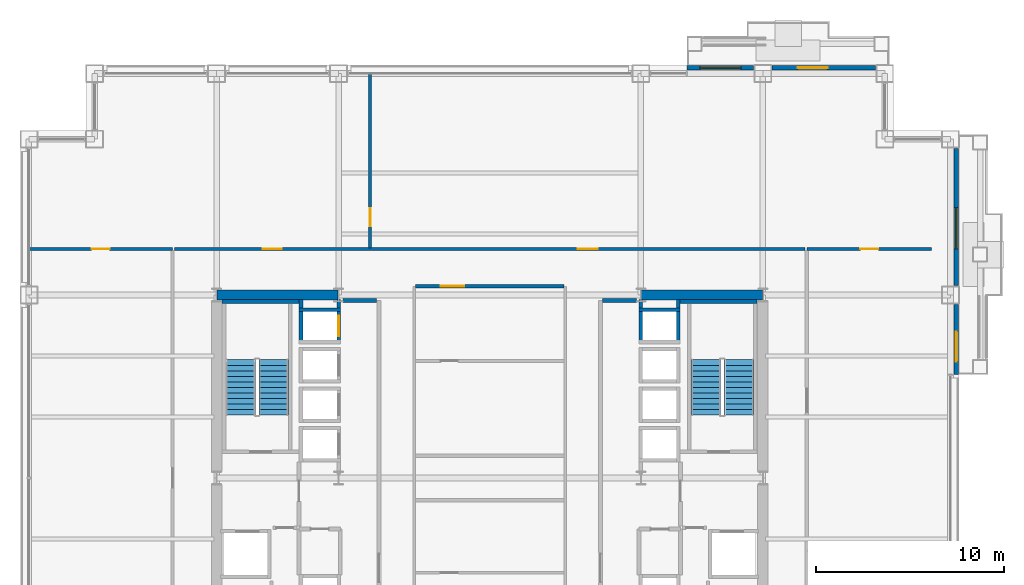
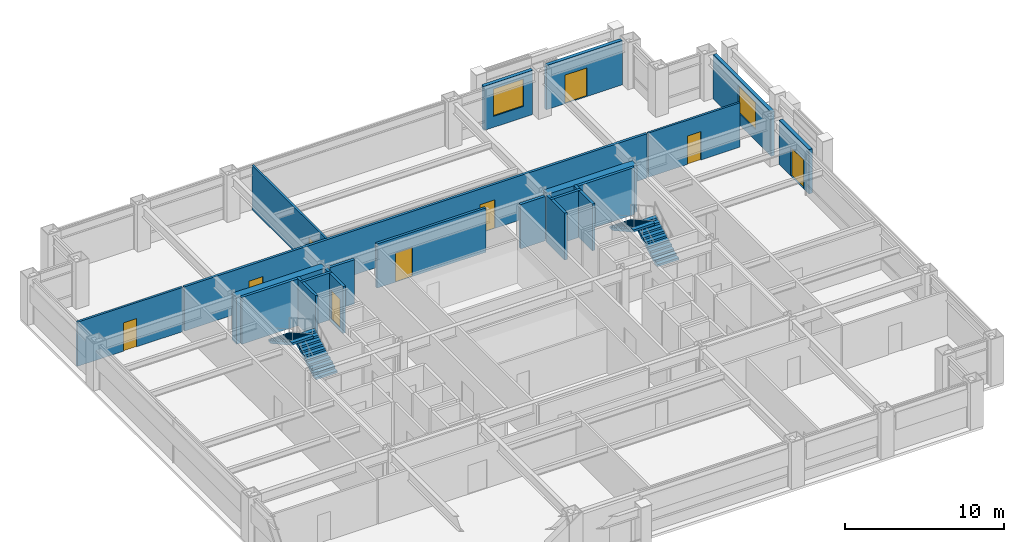
# One storey, part 28 of 31: 21 walls, 9 doors, 4 stair flights, 2 windows, 11 openings, 2 elements without a shape of their own.
"""IFC4 building model written with IfcOpenShell, lengths in metres."""

from ifc_helpers import new_model, si_unit, direction, frame, frame_2d, origin, place, context, subcontext, project, spatial, polyline, rectangle, outline, extrude, material, layer, layer_set, type_object, element, fill, aggregate, save


model = new_model("IFC4")

# Units and contexts
model_context = context("Model", 3, precision=1e-05, world=origin(), true_north=direction((0.0, 1.0)))
body_context = subcontext(model_context, "Body", "Model", "MODEL_VIEW")
ifc_project = project(units=[si_unit("LENGTHUNIT", "METRE"), si_unit("AREAUNIT", "SQUARE_METRE"), si_unit("VOLUMEUNIT", "CUBIC_METRE"), si_unit("PLANEANGLEUNIT", "RADIAN"), si_unit("MASSUNIT", "GRAM", prefix="KILO")], contexts=[model_context])

# Site, building, storey
site_placement = place(None, origin())
site = spatial("IfcSite", under=ifc_project, at=site_placement, CompositionType="ELEMENT")
building_placement = place(site_placement, origin())
building = spatial("IfcBuilding", under=site, at=building_placement, Name="Brelmoor Portico Tower", CompositionType="ELEMENT")
storey_placement = place(building_placement, frame((0.0, 0.0, 27.60009765625)))
storey = spatial("IfcBuildingStorey", under=building, at=storey_placement, Name="L06", CompositionType="ELEMENT", Elevation=27.60009765625)

# Walls
ifc_material_1 = material(Name="Concrete C60", Category="concrete")
ifc_layer_1 = layer(ifc_material_1, 0.550048828125)
ifc_layer_set_1 = layer_set([ifc_layer_1], Name="Concrete C60")
wall_type_1 = type_object("IfcWallType", Name="WL-CORE-550", PredefinedType="SHEAR", material=ifc_layer_set_1)
for number, where, z_axis, x_axis, name in (
    (1, (-14.530029296875, 9.75, -0.2001953125), (0.0, 0.0, 1.0), (1.0, 0.0, 0.0), "L06 WC North Shear Wall"),
    (2, (8.070068359375, 9.75, -0.2001953125), (0.0, 0.0, 1.0), (1.0, 0.0, 0.0), "L06 EC North Shear Wall"),
):
    element("IfcWall", number, at=place(storey_placement, frame(where, z_axis=z_axis, x_axis=x_axis)), inside=storey, type_object=wall_type_1, Name=name, PredefinedType="SHEAR", context=body_context, shape_type="SweptSolid", body=[
        extrude(rectangle(XDim=6.4599609375, YDim=0.550048828125, at=frame_2d((3.22998046875, 0.0))), origin(), (0.0, 0.0, 1.0), 3.60009765625),
    ])

# Wall, opening, window
ifc_material_2 = material(Name="Precast Concrete C40 Insulated Facade Wall", Category="concrete")
ifc_layer_2 = layer(ifc_material_2, 0.25)
ifc_layer_set_2 = layer_set([ifc_layer_2], Name="Precast Concrete C40 Insulated Facade Wall")
wall_type_2 = type_object("IfcWallType", Name="WL-EXT-250", PredefinedType="STANDARD", material=ifc_layer_set_2)
wall_1_placement = place(storey_placement, frame((10.5, 21.860107421875, 0.0), z_axis=(0.0, 0.0, 1.0), x_axis=(1.0, 0.0, 0.0)))
wall_1 = element("IfcWall", 3, at=wall_1_placement, inside=storey, type_object=wall_type_2, Name="L06 Loggia Threshold Wall N-1", PredefinedType="STANDARD", context=body_context, shape_type="SweptSolid", body=[
    extrude(rectangle(XDim=3.554931640625, YDim=0.25, at=frame_2d((1.77734375, 0.0))), origin(), (0.0, 0.0, 1.0), 3.39990234375),
])
opening_1_placement = place(wall_1_placement, frame((0.699951171875, 0.0, 0.85009765625)))
opening_1 = element("IfcOpeningElement", 4, at=opening_1_placement, cuts=wall_1, Name="Opening W-03B", PredefinedType="OPENING", context=body_context, shape_type="SweptSolid", body=[
    extrude(rectangle(XDim=2.199951171875, YDim=2.10009765625, at=frame_2d((1.10009765625, 1.050048828125))), frame((0.0, 0.135009765625, 0.0), z_axis=(0.0, -1.0, 0.0), x_axis=(1.0, 0.0, 0.0)), (0.0, 0.0, 1.0), 0.27001953125),
])
ifc_material_3 = material(Name="Thermally Broken Aluminium Low-E Window", Category="aluminium")
window_type = type_object("IfcWindowType", Name="WN-LOGGIA-2200x2100", PartitioningType="SINGLE_PANEL", PredefinedType="WINDOW", material=ifc_material_3)
window_1_placement = place(opening_1_placement, origin())
window_1 = element("IfcWindow", 5, at=window_1_placement, inside=storey, type_object=window_type, Name="L06 Loggia Window N", OverallHeight=2.10009765625, OverallWidth=2.199951171875, PartitioningType="SINGLE_PANEL", PredefinedType="WINDOW", context=body_context, shape_type="SweptSolid", body=[
    extrude(rectangle(XDim=2.199951171875, YDim=2.10009765625, at=frame_2d((1.10009765625, 1.050048828125))), frame((0.0, 0.030029296875, 0.0), z_axis=(0.0, -1.0, 0.0), x_axis=(1.0, 0.0, 0.0)), (0.0, 0.0, 1.0), 0.06005859375),
])
fill(opening_1, window_1)

# Wall, opening, door
wall_2_placement = place(storey_placement, frame((15.044921875, 21.860107421875, 0.0), z_axis=(0.0, 0.0, 1.0), x_axis=(1.0, 0.0, 0.0)))
wall_2 = element("IfcWall", 6, at=wall_2_placement, inside=storey, type_object=wall_type_2, Name="L06 Loggia Threshold Wall N-2", PredefinedType="STANDARD", context=body_context, shape_type="SweptSolid", body=[
    extrude(rectangle(XDim=5.510009765625, YDim=0.25, at=frame_2d((2.7548828125, 0.0))), origin(), (0.0, 0.0, 1.0), 3.39990234375),
])
opening_2_placement = place(wall_2_placement, frame((1.35498046875, 0.0, 0.0)))
opening_2 = element("IfcOpeningElement", 7, at=opening_2_placement, cuts=wall_2, Name="Opening D-TB1", PredefinedType="OPENING", context=body_context, shape_type="SweptSolid", body=[
    extrude(rectangle(XDim=1.60009765625, YDim=2.199951171875, at=frame_2d((0.800048828125, 1.10009765625))), frame((0.0, 0.135009765625, 0.0), z_axis=(0.0, -1.0, 0.0), x_axis=(1.0, 0.0, 0.0)), (0.0, 0.0, 1.0), 0.27001953125),
])
ifc_material_4 = material(Name="Double-Leaf Thermally Broken Terrace Door", Category="aluminium")
door_type_1 = type_object("IfcDoorType", Name="DR-BALCONY-1600", OperationType="NOTDEFINED", PredefinedType="DOOR", material=ifc_material_4)
door_1_placement = place(opening_2_placement, origin())
door_1 = element("IfcDoor", 8, at=door_1_placement, inside=storey, type_object=door_type_1, Name="D-0295 L06 Tree Balcony Double Door N", OperationType="DOUBLE_DOOR_SINGLE_SWING", OverallHeight=2.199951171875, OverallWidth=1.60009765625, PredefinedType="DOOR", context=body_context, shape_type="SweptSolid", body=[
    extrude(rectangle(XDim=1.60009765625, YDim=2.199951171875, at=frame_2d((0.800048828125, 1.10009765625))), frame((0.0, 0.02490234375, 0.0), z_axis=(0.0, -1.0, 0.0), x_axis=(1.0, 0.0, 0.0)), (0.0, 0.0, 1.0), 0.050048828125),
])
fill(opening_2, door_1)

wall_3_placement = place(storey_placement, frame((24.860107421875, 5.5, 0.0), z_axis=(0.0, 0.0, 1.0), x_axis=(0.0, 1.0, 0.0)))
wall_3 = element("IfcWall", 9, at=wall_3_placement, inside=storey, type_object=wall_type_2, Name="L06 Loggia Threshold Wall E-1", PredefinedType="STANDARD", context=body_context, shape_type="SweptSolid", body=[
    extrude(rectangle(XDim=3.7548828125, YDim=0.25, at=frame_2d((1.87744140625, 0.0))), origin(), (0.0, 0.0, 1.0), 3.39990234375),
])
opening_3_placement = place(wall_3_placement, frame((0.699951171875, 0.0, 0.0)))
opening_3 = element("IfcOpeningElement", 10, at=opening_3_placement, cuts=wall_3, Name="Opening D-TB1", PredefinedType="OPENING", context=body_context, shape_type="SweptSolid", body=[
    extrude(rectangle(XDim=1.60009765625, YDim=2.199951171875, at=frame_2d((0.800048828125, 1.10009765625))), frame((0.0, 0.135009765625, 0.0), z_axis=(0.0, -1.0, 0.0), x_axis=(1.0, 0.0, 0.0)), (0.0, 0.0, 1.0), 0.27001953125),
])
door_2_placement = place(opening_3_placement, origin())
door_2 = element("IfcDoor", 11, at=door_2_placement, inside=storey, type_object=door_type_1, Name="D-0294 L06 Tree Balcony Double Door E", OperationType="DOUBLE_DOOR_SINGLE_SWING", OverallHeight=2.199951171875, OverallWidth=1.60009765625, PredefinedType="DOOR", context=body_context, shape_type="SweptSolid", body=[
    extrude(rectangle(XDim=1.60009765625, YDim=2.199951171875, at=frame_2d((0.800048828125, 1.10009765625))), frame((0.0, 0.02490234375, 0.0), z_axis=(0.0, -1.0, 0.0), x_axis=(1.0, 0.0, 0.0)), (0.0, 0.0, 1.0), 0.050048828125),
])
fill(opening_3, door_2)

# Wall, opening, window
wall_4_placement = place(storey_placement, frame((24.860107421875, 10.2451171875, 0.0), z_axis=(0.0, 0.0, 1.0), x_axis=(0.0, 1.0, 0.0)))
wall_4 = element("IfcWall", 12, at=wall_4_placement, inside=storey, type_object=wall_type_2, Name="L06 Loggia Threshold Wall E-2", PredefinedType="STANDARD", context=body_context, shape_type="SweptSolid", body=[
    extrude(rectangle(XDim=7.309814453125, YDim=0.25, at=frame_2d((3.65478515625, 0.0))), origin(), (0.0, 0.0, 1.0), 3.39990234375),
])
opening_4_placement = place(wall_4_placement, frame((1.955078125, 0.0, 0.85009765625)))
opening_4 = element("IfcOpeningElement", 13, at=opening_4_placement, cuts=wall_4, Name="Opening W-03B", PredefinedType="OPENING", context=body_context, shape_type="SweptSolid", body=[
    extrude(rectangle(XDim=2.199951171875, YDim=2.10009765625, at=frame_2d((1.10009765625, 1.050048828125))), frame((0.0, 0.135009765625, 0.0), z_axis=(0.0, -1.0, 0.0), x_axis=(1.0, 0.0, 0.0)), (0.0, 0.0, 1.0), 0.27001953125),
])
window_2_placement = place(opening_4_placement, origin())
window_2 = element("IfcWindow", 14, at=window_2_placement, inside=storey, type_object=window_type, Name="L06 Loggia Window E", OverallHeight=2.10009765625, OverallWidth=2.199951171875, PartitioningType="SINGLE_PANEL", PredefinedType="WINDOW", context=body_context, shape_type="SweptSolid", body=[
    extrude(rectangle(XDim=2.199951171875, YDim=2.10009765625, at=frame_2d((1.10009765625, 1.050048828125))), frame((0.0, 0.030029296875, 0.0), z_axis=(0.0, -1.0, 0.0), x_axis=(1.0, 0.0, 0.0)), (0.0, 0.0, 1.0), 0.06005859375),
])
fill(opening_4, window_2)

# Wall, opening, door
ifc_material_5 = material(Name="Wet-Area Moisture-Resistant Partition", Category="gypsum")
ifc_layer_3 = layer(ifc_material_5, 0.14990234375)
ifc_layer_set_3 = layer_set([ifc_layer_3], Name="Wet-Area Moisture-Resistant Partition")
wall_type_3 = type_object("IfcWallType", Name="WL-PART-150", PredefinedType="PARTITIONING", material=ifc_layer_set_3)
wall_5_placement = place(storey_placement, frame((-6.37109375, 12.260009765625, 0.0), z_axis=(0.0, 0.0, 1.0), x_axis=(0.0, 1.0, 0.0)))
wall_5 = element("IfcWall", 15, at=wall_5_placement, inside=storey, type_object=wall_type_3, Name="L06 North Suite Partition 1", PredefinedType="PARTITIONING", context=body_context, shape_type="SweptSolid", body=[
    extrude(rectangle(XDim=9.300048828125, YDim=0.14990234375, at=frame_2d((4.64990234375, 0.0))), origin(), (0.0, 0.0, 1.0), 3.39990234375),
])
opening_5_placement = place(wall_5_placement, frame((1.14990234375, 0.0, 0.0)))
opening_5 = element("IfcOpeningElement", 16, at=opening_5_placement, cuts=wall_5, Name="Opening D-IN2", PredefinedType="OPENING", context=body_context, shape_type="SweptSolid", body=[
    extrude(rectangle(XDim=0.9599609375, YDim=2.179931640625, at=frame_2d((0.47998046875, 1.08984375))), frame((0.0, 0.0849609375, 0.0), z_axis=(0.0, -1.0, 0.0), x_axis=(1.0, 0.0, 0.0)), (0.0, 0.0, 1.0), 0.169921875),
])
ifc_material_6 = material(Name="Lacquered Timber Suite Door", Category="wood")
door_type_2 = type_object("IfcDoorType", Name="DR-INT-950", OperationType="NOTDEFINED", PredefinedType="DOOR", material=ifc_material_6)
door_3_placement = place(opening_5_placement, origin())
door_3 = element("IfcDoor", 17, at=door_3_placement, inside=storey, type_object=door_type_2, Name="D-0282 L06 North Suite Connecting Door 1", OperationType="SINGLE_SWING_LEFT", OverallHeight=2.179931640625, OverallWidth=0.9599609375, PredefinedType="DOOR", context=body_context, shape_type="SweptSolid", body=[
    extrude(rectangle(XDim=0.9599609375, YDim=2.179931640625, at=frame_2d((0.47998046875, 1.08984375))), frame((0.0, 0.02490234375, 0.0), z_axis=(0.0, -1.0, 0.0), x_axis=(1.0, 0.0, 0.0)), (0.0, 0.0, 1.0), 0.050048828125),
])
fill(opening_5, door_3)

wall_6_placement = place(storey_placement, frame((-24.56005859375, 12.199951171875, 0.0), z_axis=(0.0, 0.0, 1.0), x_axis=(1.0, 0.0, 0.0)))
wall_6 = element("IfcWall", 18, at=wall_6_placement, inside=storey, type_object=wall_type_3, Name="L06 North Outer Closure WL", PredefinedType="PARTITIONING", context=body_context, shape_type="SweptSolid", body=[
    extrude(rectangle(XDim=7.66015625, YDim=0.14990234375, at=frame_2d((3.830078125, 0.0))), origin(), (0.0, 0.0, 1.0), 3.39990234375),
])
opening_6_placement = place(wall_6_placement, frame((3.35009765625, 0.0, 0.0)))
opening_6 = element("IfcOpeningElement", 19, at=opening_6_placement, cuts=wall_6, Name="Opening D-IN2", PredefinedType="OPENING", context=body_context, shape_type="SweptSolid", body=[
    extrude(rectangle(XDim=0.9599609375, YDim=2.179931640625, at=frame_2d((0.47998046875, 1.08984375))), frame((0.0, 0.0849609375, 0.0), z_axis=(0.0, -1.0, 0.0), x_axis=(1.0, 0.0, 0.0)), (0.0, 0.0, 1.0), 0.169921875),
])
door_4_placement = place(opening_6_placement, origin())
door_4 = element("IfcDoor", 20, at=door_4_placement, inside=storey, type_object=door_type_2, Name="D-0284 L06 WL North Corner Suite Door", OperationType="SINGLE_SWING_RIGHT", OverallHeight=2.179931640625, OverallWidth=0.9599609375, PredefinedType="DOOR", context=body_context, shape_type="SweptSolid", body=[
    extrude(rectangle(XDim=0.9599609375, YDim=2.179931640625, at=frame_2d((0.47998046875, 1.08984375))), frame((0.0, 0.02490234375, 0.0), z_axis=(0.0, -1.0, 0.0), x_axis=(1.0, 0.0, 0.0)), (0.0, 0.0, 1.0), 0.050048828125),
])
fill(opening_6, door_4)

wall_7_placement = place(storey_placement, frame((16.89990234375, 12.199951171875, 0.0), z_axis=(0.0, 0.0, 1.0), x_axis=(1.0, 0.0, 0.0)))
wall_7 = element("IfcWall", 21, at=wall_7_placement, inside=storey, type_object=wall_type_3, Name="L06 North Outer Closure ER", PredefinedType="PARTITIONING", context=body_context, shape_type="SweptSolid", body=[
    extrude(rectangle(XDim=6.650146484375, YDim=0.14990234375, at=frame_2d((3.3251953125, 0.0))), origin(), (0.0, 0.0, 1.0), 3.39990234375),
])
opening_7_placement = place(wall_7_placement, frame((2.844970703125, 0.0, 0.0)))
opening_7 = element("IfcOpeningElement", 22, at=opening_7_placement, cuts=wall_7, Name="Opening D-IN2", PredefinedType="OPENING", context=body_context, shape_type="SweptSolid", body=[
    extrude(rectangle(XDim=0.9599609375, YDim=2.179931640625, at=frame_2d((0.47998046875, 1.08984375))), frame((0.0, 0.0849609375, 0.0), z_axis=(0.0, -1.0, 0.0), x_axis=(1.0, 0.0, 0.0)), (0.0, 0.0, 1.0), 0.169921875),
])
door_5_placement = place(opening_7_placement, origin())
door_5 = element("IfcDoor", 23, at=door_5_placement, inside=storey, type_object=door_type_2, Name="D-0283 L06 ER North Corner Suite Door", OperationType="SINGLE_SWING_LEFT", OverallHeight=2.179931640625, OverallWidth=0.9599609375, PredefinedType="DOOR", context=body_context, shape_type="SweptSolid", body=[
    extrude(rectangle(XDim=0.9599609375, YDim=2.179931640625, at=frame_2d((0.47998046875, 1.08984375))), frame((0.0, 0.02490234375, 0.0), z_axis=(0.0, -1.0, 0.0), x_axis=(1.0, 0.0, 0.0)), (0.0, 0.0, 1.0), 0.050048828125),
])
fill(opening_7, door_5)

ifc_material_7 = material(Name="Acoustic Corridor Fire Partition", Category="gypsum")
ifc_layer_4 = layer(ifc_material_7, 0.179931640625)
ifc_layer_set_4 = layer_set([ifc_layer_4], Name="Acoustic Corridor Fire Partition")
wall_type_4 = type_object("IfcWallType", Name="WL-PART-180", PredefinedType="PARTITIONING", material=ifc_layer_set_4)
wall_8_placement = place(storey_placement, frame((-3.949951171875, 10.219970703125, 0.0), z_axis=(0.0, 0.0, 1.0), x_axis=(1.0, 0.0, 0.0)))
wall_8 = element("IfcWall", 24, at=wall_8_placement, inside=storey, type_object=wall_type_4, Name="L06 Central Meeting Corridor Wall", PredefinedType="PARTITIONING", context=body_context, shape_type="SweptSolid", body=[
    extrude(rectangle(XDim=7.89990234375, YDim=0.179931640625, at=frame_2d((3.949951171875, 0.0))), origin(), (0.0, 0.0, 1.0), 3.39990234375),
])
opening_8_placement = place(wall_8_placement, frame((1.35009765625, 0.0, 0.0)))
opening_8 = element("IfcOpeningElement", 25, at=opening_8_placement, cuts=wall_8, Name="Opening D-SU1", PredefinedType="OPENING", context=body_context, shape_type="SweptSolid", body=[
    extrude(rectangle(XDim=1.239990234375, YDim=2.239990234375, at=frame_2d((0.6201171875, 1.1201171875))), frame((0.0, 0.099853515625, 0.0), z_axis=(0.0, -1.0, 0.0), x_axis=(1.0, 0.0, 0.0)), (0.0, 0.0, 1.0), 0.199951171875),
])
ifc_material_8 = material(Name="Glazed Timber Executive Suite Door", Category="wood")
door_type_3 = type_object("IfcDoorType", Name="DR-SUITE-1200", OperationType="NOTDEFINED", PredefinedType="DOOR", material=ifc_material_8)
door_6_placement = place(opening_8_placement, origin())
door_6 = element("IfcDoor", 26, at=door_6_placement, inside=storey, type_object=door_type_3, Name="D-0266 L06 Client Meeting Room Door", OperationType="SINGLE_SWING_LEFT", OverallHeight=2.239990234375, OverallWidth=1.239990234375, PredefinedType="DOOR", context=body_context, shape_type="SweptSolid", body=[
    extrude(rectangle(XDim=1.239990234375, YDim=2.239990234375, at=frame_2d((0.6201171875, 1.1201171875))), frame((0.0, 0.02490234375, 0.0), z_axis=(0.0, -1.0, 0.0), x_axis=(1.0, 0.0, 0.0)), (0.0, 0.0, 1.0), 0.050048828125),
])
fill(opening_8, door_6)

# Wall, openings, doors
wall_9_placement = place(storey_placement, frame((-16.800048828125, 12.199951171875, 0.0), z_axis=(0.0, 0.0, 1.0), x_axis=(1.0, 0.0, 0.0)))
wall_9 = element("IfcWall", 27, at=wall_9_placement, inside=storey, type_object=wall_type_4, Name="L06 North Corridor Partition", PredefinedType="PARTITIONING", context=body_context, shape_type="SweptSolid", body=[
    extrude(rectangle(XDim=33.60009765625, YDim=0.179931640625, at=frame_2d((16.800048828125, 0.0))), origin(), (0.0, 0.0, 1.0), 3.39990234375),
])
opening_9_placement = place(wall_9_placement, frame((4.704345703125, 0.0, 0.0)))
opening_9 = element("IfcOpeningElement", 28, at=opening_9_placement, cuts=wall_9, Name="Opening D-OF1", PredefinedType="OPENING", context=body_context, shape_type="SweptSolid", body=[
    extrude(rectangle(XDim=1.02001953125, YDim=2.199951171875, at=frame_2d((0.510009765625, 1.10009765625))), frame((0.0, 0.099853515625, 0.0), z_axis=(0.0, -1.0, 0.0), x_axis=(1.0, 0.0, 0.0)), (0.0, 0.0, 1.0), 0.199951171875),
])
opening_10_placement = place(wall_9_placement, frame((21.484375, 0.0, 0.0)))
opening_10 = element("IfcOpeningElement", 29, at=opening_10_placement, cuts=wall_9, Name="Opening D-OF2", PredefinedType="OPENING", context=body_context, shape_type="SweptSolid", body=[
    extrude(rectangle(XDim=1.06005859375, YDim=2.199951171875, at=frame_2d((0.530029296875, 1.10009765625))), frame((0.0, 0.099853515625, 0.0), z_axis=(0.0, -1.0, 0.0), x_axis=(1.0, 0.0, 0.0)), (0.0, 0.0, 1.0), 0.199951171875),
])
ifc_material_9 = material(Name="Hardwood Acoustic Veneer Door", Category="wood")
door_type_4 = type_object("IfcDoorType", Name="DR-OFFICE-1000", OperationType="NOTDEFINED", PredefinedType="DOOR", material=ifc_material_9)
door_7_placement = place(opening_9_placement, origin())
door_7 = element("IfcDoor", 30, at=door_7_placement, inside=storey, type_object=door_type_4, Name="D-0280 L06 North Open-Plan Office Studio 1 Door", OperationType="SINGLE_SWING_RIGHT", OverallHeight=2.199951171875, OverallWidth=1.02001953125, PredefinedType="DOOR", context=body_context, shape_type="SweptSolid", body=[
    extrude(rectangle(XDim=1.02001953125, YDim=2.199951171875, at=frame_2d((0.510009765625, 1.10009765625))), frame((0.0, 0.02490234375, 0.0), z_axis=(0.0, -1.0, 0.0), x_axis=(1.0, 0.0, 0.0)), (0.0, 0.0, 1.0), 0.050048828125),
])
fill(opening_9, door_7)
door_type_5 = type_object("IfcDoorType", Name="DR-OFFICE-1050", OperationType="NOTDEFINED", PredefinedType="DOOR", material=ifc_material_9)
door_8_placement = place(opening_10_placement, origin())
door_8 = element("IfcDoor", 31, at=door_8_placement, inside=storey, type_object=door_type_5, Name="D-0281 L06 North Partner Cellular Office 2 Door", OperationType="SINGLE_SWING_LEFT", OverallHeight=2.199951171875, OverallWidth=1.06005859375, PredefinedType="DOOR", context=body_context, shape_type="SweptSolid", body=[
    extrude(rectangle(XDim=1.06005859375, YDim=2.199951171875, at=frame_2d((0.530029296875, 1.10009765625))), frame((0.0, 0.02490234375, 0.0), z_axis=(0.0, -1.0, 0.0), x_axis=(1.0, 0.0, 0.0)), (0.0, 0.0, 1.0), 0.050048828125),
])
fill(opening_10, door_8)

# Walls
ifc_material_10 = material(Name="Double-Stud Gypsum Fire Partition", Category="gypsum")
ifc_layer_5 = layer(ifc_material_10, 0.199951171875)
ifc_layer_set_5 = layer_set([ifc_layer_5], Name="Double-Stud Gypsum Fire Partition")
wall_type_5 = type_object("IfcWallType", Name="WL-PART-200", PredefinedType="PARTITIONING", material=ifc_layer_set_5)
for number, where, z_axis, x_axis, name in (
    (32, (-6.02001953125, 9.449951171875, 0.0), (0.0, 0.0, 1.0), (-1.0, 0.0, 0.0), "L06 W Lift Lobby North End Wall"),
    (33, (6.02001953125, 9.449951171875, 0.0), (0.0, 0.0, 1.0), (1.0, 0.0, 0.0), "L06 E Lift Lobby North End Wall"),
):
    element("IfcWall", number, at=place(storey_placement, frame(where, z_axis=z_axis, x_axis=x_axis)), inside=storey, type_object=wall_type_5, Name=name, PredefinedType="PARTITIONING", context=body_context, shape_type="SweptSolid", body=[
        extrude(rectangle(XDim=1.800048828125, YDim=0.199951171875, at=frame_2d((0.89990234375, 0.0))), origin(), (0.0, 0.0, 1.0), 3.39990234375),
    ])

# Wall, opening, door
ifc_material_11 = material(Name="Precast Concrete C40", Category="concrete")
ifc_layer_6 = layer(ifc_material_11, 0.18994140625)
ifc_layer_set_6 = layer_set([ifc_layer_6], Name="Precast Concrete C40")
wall_type_6 = type_object("IfcWallType", Name="WL-SHAFT-180", PredefinedType="SOLIDWALL", material=ifc_layer_set_6)
wall_10_placement = place(storey_placement, frame((-8.044921875, 7.14990234375, -0.2001953125), z_axis=(0.0, 0.0, 1.0), x_axis=(0.0, 1.0, 0.0)))
wall_10 = element("IfcWall", 34, at=wall_10_placement, inside=storey, type_object=wall_type_6, Name="L06 Lift PL4 Hoistway Front Wall", PredefinedType="SOLIDWALL", context=body_context, shape_type="SweptSolid", body=[
    extrude(rectangle(XDim=2.3701171875, YDim=0.18994140625, at=frame_2d((1.18505859375, 0.0))), origin(), (0.0, 0.0, 1.0), 3.60009765625),
])
opening_11_placement = place(wall_10_placement, frame((0.39990234375, 0.0, 0.199951171875)))
opening_11 = element("IfcOpeningElement", 35, at=opening_11_placement, cuts=wall_10, Name="Opening LD-01", PredefinedType="OPENING", context=body_context, shape_type="SweptSolid", body=[
    extrude(rectangle(XDim=1.10009765625, YDim=2.199951171875, at=frame_2d((0.550048828125, 1.10009765625))), frame((0.0, 0.10498046875, 0.0), z_axis=(0.0, -1.0, 0.0), x_axis=(1.0, 0.0, 0.0)), (0.0, 0.0, 1.0), 0.2099609375),
])
ifc_material_12 = material(Name="Brushed Stainless Steel Sliding Lift Door", Category="steel")
door_type_6 = type_object("IfcDoorType", Name="DR-LIFT-1100", OperationType="NOTDEFINED", PredefinedType="DOOR", material=ifc_material_12)
door_9_placement = place(opening_11_placement, origin())
door_9 = element("IfcDoor", 36, at=door_9_placement, inside=storey, type_object=door_type_6, Name="D-0306 L06 Lift PL4 Sliding Landing Door", OperationType="SLIDING_TO_LEFT", OverallHeight=2.199951171875, OverallWidth=1.10009765625, PredefinedType="DOOR", context=body_context, shape_type="SweptSolid", body=[
    extrude(rectangle(XDim=1.10009765625, YDim=2.199951171875, at=frame_2d((0.550048828125, 1.10009765625))), frame((0.0, 0.02490234375, 0.0), z_axis=(0.0, -1.0, 0.0), x_axis=(1.0, 0.0, 0.0)), (0.0, 0.0, 1.0), 0.050048828125),
])
fill(opening_11, door_9)

# Walls
wall_11_placement = place(storey_placement, frame((-10.054931640625, 7.14990234375, -0.2001953125), z_axis=(0.0, 0.0, 1.0), x_axis=(0.0, 1.0, 0.0)))
element("IfcWall", 37, at=wall_11_placement, inside=storey, type_object=wall_type_6, Name="L06 Lift PL4 Hoistway Back Wall", PredefinedType="SOLIDWALL", context=body_context, shape_type="SweptSolid", body=[
    extrude(rectangle(XDim=2.3701171875, YDim=0.18994140625, at=frame_2d((1.18505859375, 0.0))), origin(), (0.0, 0.0, 1.0), 3.60009765625),
])
wall_12_placement = place(storey_placement, frame((-10.14990234375, 8.955078125, -0.2001953125), z_axis=(0.0, 0.0, 1.0), x_axis=(1.0, 0.0, 0.0)))
element("IfcWall", 38, at=wall_12_placement, inside=storey, type_object=wall_type_6, Name="L06 Lift PL4 Hoistway North Wall", PredefinedType="SOLIDWALL", context=body_context, shape_type="SweptSolid", body=[
    extrude(rectangle(XDim=2.199951171875, YDim=0.18994140625, at=frame_2d((1.10009765625, 0.0))), origin(), (0.0, 0.0, 1.0), 3.60009765625),
])
for number, where, z_axis, x_axis, name in (
    (39, (8.044921875, 7.14990234375, -0.2001953125), (0.0, 0.0, 1.0), (0.0, 1.0, 0.0), "L06 Lift PM4 Hoistway Front Wall"),
    (40, (10.054931640625, 7.14990234375, -0.2001953125), (0.0, 0.0, 1.0), (0.0, 1.0, 0.0), "L06 Lift PM4 Hoistway Back Wall"),
):
    element("IfcWall", number, at=place(storey_placement, frame(where, z_axis=z_axis, x_axis=x_axis)), inside=storey, type_object=wall_type_6, Name=name, PredefinedType="SOLIDWALL", context=body_context, shape_type="SweptSolid", body=[
        extrude(rectangle(XDim=2.3701171875, YDim=0.18994140625, at=frame_2d((1.18505859375, 0.0))), origin(), (0.0, 0.0, 1.0), 3.60009765625),
    ])
wall_13_placement = place(storey_placement, frame((7.949951171875, 8.955078125, -0.2001953125), z_axis=(0.0, 0.0, 1.0), x_axis=(1.0, 0.0, 0.0)))
element("IfcWall", 41, at=wall_13_placement, inside=storey, type_object=wall_type_6, Name="L06 Lift PM4 Hoistway North Wall", PredefinedType="SOLIDWALL", context=body_context, shape_type="SweptSolid", body=[
    extrude(rectangle(XDim=2.199951171875, YDim=0.18994140625, at=frame_2d((1.10009765625, 0.0))), origin(), (0.0, 0.0, 1.0), 3.60009765625),
])
ifc_material_13 = material(Name="Concrete C40", Category="concrete")
ifc_layer_7 = layer(ifc_material_13, 0.199951171875)
ifc_layer_set_7 = layer_set([ifc_layer_7], Name="Concrete C40")
wall_type_7 = type_object("IfcWallType", Name="WL-SHAFT-RC200", PredefinedType="SOLIDWALL", material=ifc_layer_set_7)
for number, where, z_axis, x_axis, name in (
    (42, (-14.25, 9.39990234375, -0.2001953125), (0.0, 0.0, 1.0), (1.0, 0.0, 0.0), "L06 ST-W Structural Stair Wall N"),
    (43, (10.14990234375, 9.39990234375, -0.2001953125), (0.0, 0.0, 1.0), (1.0, 0.0, 0.0), "L06 ST-E Structural Stair Wall N"),
):
    element("IfcWall", number, at=place(storey_placement, frame(where, z_axis=z_axis, x_axis=x_axis)), inside=storey, type_object=wall_type_7, Name=name, PredefinedType="SOLIDWALL", context=body_context, shape_type="SweptSolid", body=[
        extrude(rectangle(XDim=4.10009765625, YDim=0.199951171875, at=frame_2d((2.050048828125, 0.0))), origin(), (0.0, 0.0, 1.0), 3.60009765625),
    ])

# Stair, stair flights
stair_type_1 = type_object("IfcStairType", Name="ST-CORE-W", PredefinedType="HALF_TURN_STAIR", material=ifc_material_13)
stair_1_placement = place(storey_placement, origin())
stair_1 = element("IfcStair", 44, at=stair_1_placement, inside=storey, type_object=stair_type_1, Name="L06 Protected Core Exit Stair ST-W", PredefinedType="HALF_TURN_STAIR")
stair_flight_type = type_object("IfcStairFlightType", Name="SF-CORE-1850", PredefinedType="STRAIGHT", material=ifc_material_13)
stair_flight_1_placement = place(storey_placement, frame((-11.510009765625, 3.35009765625, 0.0), z_axis=(0.0, 0.0, 1.0), x_axis=(0.0, 1.0, 0.0)))
stair_flight_1 = element("IfcStairFlight", 45, at=stair_flight_1_placement, type_object=stair_flight_type, Name="ST-W flight 1", NumberOfRisers=11, NumberOfTreads=10, PredefinedType="STRAIGHT", RiserHeight=0.163636364, TreadLength=0.295, context=body_context, shape_type="SweptSolid", body=[
    extrude(outline(polyline([(0.0, 0.0), (0.0, 0.16357421875), (0.294921875, 0.16357421875), (0.294921875, 0.327392578125), (0.590087890625, 0.327392578125), (0.590087890625, 0.490966796875), (0.885009765625, 0.490966796875), (0.885009765625, 0.654541015625), (1.179931640625, 0.654541015625), (1.179931640625, 0.818115234375), (1.47509765625, 0.818115234375), (1.47509765625, 0.98193359375), (1.77001953125, 0.98193359375), (1.77001953125, 1.1455078125), (2.06494140625, 1.1455078125), (2.06494140625, 1.30908203125), (2.360107421875, 1.30908203125), (2.360107421875, 1.47265625), (2.655029296875, 1.47265625), (2.655029296875, 1.636474609375), (2.949951171875, 1.636474609375), (2.949951171875, 1.800048828125), (2.949951171875, 1.46484375), (0.30908203125, 0.0), (0.0, 0.0)])), frame((0.0, 0.780029296875, 0.0), z_axis=(0.0, -1.0, 0.0), x_axis=(1.0, 0.0, 0.0)), (0.0, 0.0, 1.0), 1.56005859375),
])
stair_flight_2_placement = place(storey_placement, frame((-13.27001953125, 6.300048828125, 1.7998046875), z_axis=(0.0, 0.0, 1.0), x_axis=(0.0, -1.0, 0.0)))
stair_flight_2 = element("IfcStairFlight", 46, at=stair_flight_2_placement, type_object=stair_flight_type, Name="ST-W flight 2", NumberOfRisers=11, NumberOfTreads=10, PredefinedType="STRAIGHT", RiserHeight=0.163636364, TreadLength=0.295, context=body_context, shape_type="SweptSolid", body=[
    extrude(outline(polyline([(0.0, 0.0), (0.0, 0.16357421875), (0.294921875, 0.16357421875), (0.294921875, 0.327392578125), (0.590087890625, 0.327392578125), (0.590087890625, 0.490966796875), (0.885009765625, 0.490966796875), (0.885009765625, 0.654541015625), (1.179931640625, 0.654541015625), (1.179931640625, 0.818115234375), (1.47509765625, 0.818115234375), (1.47509765625, 0.98193359375), (1.77001953125, 0.98193359375), (1.77001953125, 1.1455078125), (2.06494140625, 1.1455078125), (2.06494140625, 1.30908203125), (2.360107421875, 1.30908203125), (2.360107421875, 1.47265625), (2.655029296875, 1.47265625), (2.655029296875, 1.636474609375), (2.949951171875, 1.636474609375), (2.949951171875, 1.800048828125), (2.949951171875, 1.46484375), (0.30908203125, 0.0), (0.0, 0.0)])), frame((0.0, 0.780029296875, 0.0), z_axis=(0.0, -1.0, 0.0), x_axis=(1.0, 0.0, 0.0)), (0.0, 0.0, 1.0), 1.56005859375),
])
aggregate(stair_1, [stair_flight_1, stair_flight_2])

stair_type_2 = type_object("IfcStairType", Name="ST-CORE-E", PredefinedType="HALF_TURN_STAIR", material=ifc_material_13)
stair_2_placement = place(storey_placement, origin())
stair_2 = element("IfcStair", 47, at=stair_2_placement, inside=storey, type_object=stair_type_2, Name="L06 Protected Core Exit Stair ST-E", PredefinedType="HALF_TURN_STAIR")
stair_flight_3_placement = place(storey_placement, frame((13.27001953125, 3.35009765625, 0.0), z_axis=(0.0, 0.0, 1.0), x_axis=(0.0, 1.0, 0.0)))
stair_flight_3 = element("IfcStairFlight", 48, at=stair_flight_3_placement, type_object=stair_flight_type, Name="ST-E flight 1", NumberOfRisers=11, NumberOfTreads=10, PredefinedType="STRAIGHT", RiserHeight=0.163636364, TreadLength=0.295, context=body_context, shape_type="SweptSolid", body=[
    extrude(outline(polyline([(0.0, 0.0), (0.0, 0.16357421875), (0.294921875, 0.16357421875), (0.294921875, 0.327392578125), (0.590087890625, 0.327392578125), (0.590087890625, 0.490966796875), (0.885009765625, 0.490966796875), (0.885009765625, 0.654541015625), (1.179931640625, 0.654541015625), (1.179931640625, 0.818115234375), (1.47509765625, 0.818115234375), (1.47509765625, 0.98193359375), (1.77001953125, 0.98193359375), (1.77001953125, 1.1455078125), (2.06494140625, 1.1455078125), (2.06494140625, 1.30908203125), (2.360107421875, 1.30908203125), (2.360107421875, 1.47265625), (2.655029296875, 1.47265625), (2.655029296875, 1.636474609375), (2.949951171875, 1.636474609375), (2.949951171875, 1.800048828125), (2.949951171875, 1.46484375), (0.30908203125, 0.0), (0.0, 0.0)])), frame((0.0, 0.780029296875, 0.0), z_axis=(0.0, -1.0, 0.0), x_axis=(1.0, 0.0, 0.0)), (0.0, 0.0, 1.0), 1.56005859375),
])
stair_flight_4_placement = place(storey_placement, frame((11.510009765625, 6.300048828125, 1.7998046875), z_axis=(0.0, 0.0, 1.0), x_axis=(0.0, -1.0, 0.0)))
stair_flight_4 = element("IfcStairFlight", 49, at=stair_flight_4_placement, type_object=stair_flight_type, Name="ST-E flight 2", NumberOfRisers=11, NumberOfTreads=10, PredefinedType="STRAIGHT", RiserHeight=0.163636364, TreadLength=0.295, context=body_context, shape_type="SweptSolid", body=[
    extrude(outline(polyline([(0.0, 0.0), (0.0, 0.16357421875), (0.294921875, 0.16357421875), (0.294921875, 0.327392578125), (0.590087890625, 0.327392578125), (0.590087890625, 0.490966796875), (0.885009765625, 0.490966796875), (0.885009765625, 0.654541015625), (1.179931640625, 0.654541015625), (1.179931640625, 0.818115234375), (1.47509765625, 0.818115234375), (1.47509765625, 0.98193359375), (1.77001953125, 0.98193359375), (1.77001953125, 1.1455078125), (2.06494140625, 1.1455078125), (2.06494140625, 1.30908203125), (2.360107421875, 1.30908203125), (2.360107421875, 1.47265625), (2.655029296875, 1.47265625), (2.655029296875, 1.636474609375), (2.949951171875, 1.636474609375), (2.949951171875, 1.800048828125), (2.949951171875, 1.46484375), (0.30908203125, 0.0), (0.0, 0.0)])), frame((0.0, 0.780029296875, 0.0), z_axis=(0.0, -1.0, 0.0), x_axis=(1.0, 0.0, 0.0)), (0.0, 0.0, 1.0), 1.56005859375),
])
aggregate(stair_2, [stair_flight_3, stair_flight_4])

save(model, "model.ifc")
